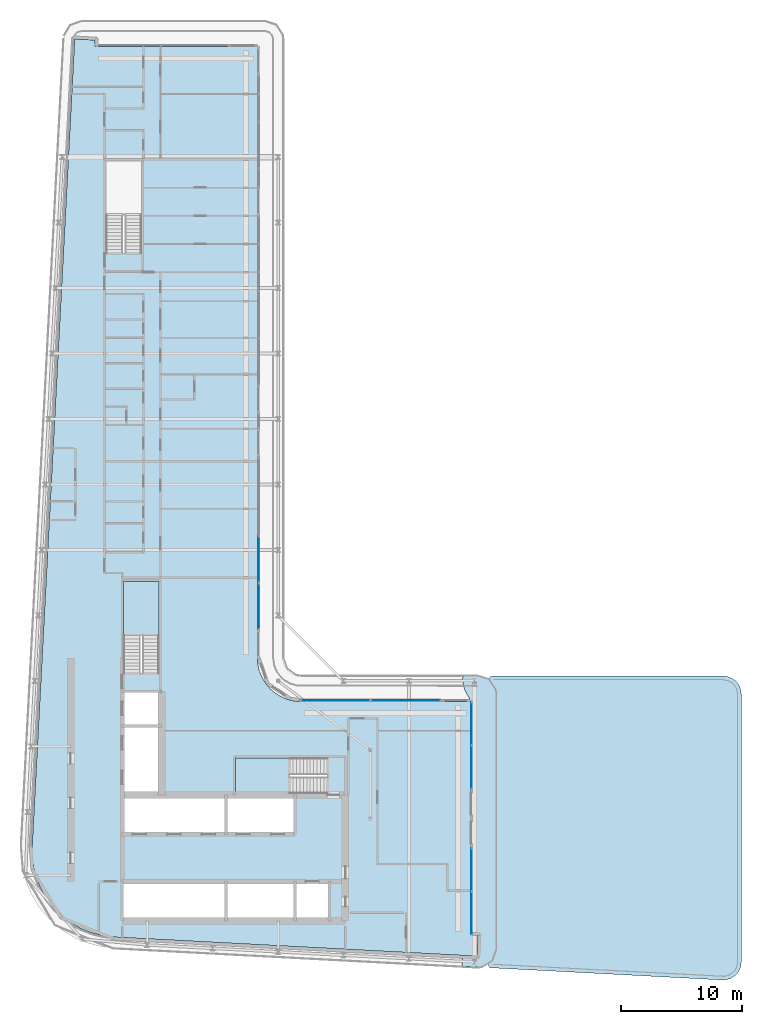
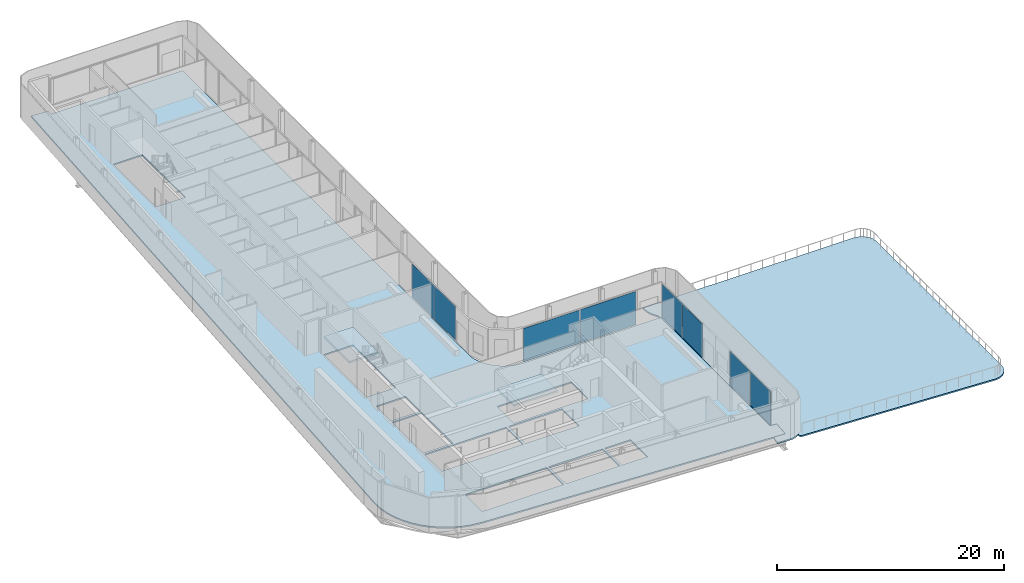
# One storey, part 9 of 22: 8 plates, 4 slabs, 6 elements without a shape of their own.
"""IFC4 building model written with IfcOpenShell, lengths in metres."""

from ifc_helpers import new_model, si_unit, direction, frame, origin, origin_2d, place, context, subcontext, project, spatial, polyline, rectangle, outline, extrude, material, layer, layer_set, type_object, element, aggregate, save


model = new_model("IFC4")

# Units and contexts
model_context = context("Model", 3, precision=1e-05, world=origin(), true_north=direction((0.0, 1.0)))
body_context = subcontext(model_context, "Body", "Model", "MODEL_VIEW")
ifc_project = project(units=[si_unit("LENGTHUNIT", "METRE"), si_unit("AREAUNIT", "SQUARE_METRE"), si_unit("VOLUMEUNIT", "CUBIC_METRE"), si_unit("PLANEANGLEUNIT", "RADIAN"), si_unit("MASSUNIT", "GRAM", prefix="KILO")], contexts=[model_context])

# Site, building, storey
site_placement = place(None, origin())
site = spatial("IfcSite", under=ifc_project, at=site_placement, CompositionType="ELEMENT")
building_placement = place(site_placement, origin())
building = spatial("IfcBuilding", under=site, at=building_placement, Name="Kheshtan School and Residences Tower", CompositionType="ELEMENT")
storey_placement = place(building_placement, frame((0.0, 0.0, 274.699951171875)))
storey = spatial("IfcBuildingStorey", under=building, at=storey_placement, Name="L64", CompositionType="ELEMENT", Elevation=274.699951171875)

# Curtain wall, plates
ifc_material_1 = material(Name="Clear low-e glass in thermally broken aluminium frame", Category="aluminium")
ifc_layer_1 = layer(ifc_material_1, 0.199951171875)
ifc_layer_set_1 = layer_set([ifc_layer_1], Name="Curtain wall CW-L")
curtain_wall_type = type_object("IfcCurtainWallType", Name="Curtain wall CW-L", PredefinedType="NOTDEFINED", material=ifc_layer_set_1)
curtain_wall_1_placement = place(storey_placement, origin())
curtain_wall_1 = element("IfcCurtainWall", 1, at=curtain_wall_1_placement, inside=storey, type_object=curtain_wall_type, Name="Curtain wall CWL8", PredefinedType="NOTDEFINED")
ifc_layer_2 = layer(ifc_material_1, 0.031982421875)
ifc_layer_set_2 = layer_set([ifc_layer_2], Name="CW-L glass panel")
plate_type = type_object("IfcPlateType", Name="CW-L glass panel", PredefinedType="CURTAIN_PANEL", material=ifc_layer_set_2)
plate_1_placement = place(storey_placement, frame((46.0, 55.615478515625, 0.0), z_axis=(0.0, 0.0, 1.0), x_axis=(0.0, -1.0, 0.0)))
plate_1 = element("IfcPlate", 2, at=plate_1_placement, type_object=plate_type, Name="CWL8 panel 1.1", PredefinedType="CURTAIN_PANEL", context=body_context, shape_type="SweptSolid", body=[
    extrude(rectangle(XDim=3.81689453125, YDim=0.031982421875, at=origin_2d()), origin(), (0.0, 0.0, 1.0), 3.6298828125),
])
plate_2_placement = place(storey_placement, frame((46.0, 51.7685546875, 0.0), z_axis=(0.0, 0.0, 1.0), x_axis=(0.0, -1.0, 0.0)))
plate_2 = element("IfcPlate", 3, at=plate_2_placement, type_object=plate_type, Name="CWL8 panel 2.1", PredefinedType="CURTAIN_PANEL", context=body_context, shape_type="SweptSolid", body=[
    extrude(rectangle(XDim=3.757080078125, YDim=0.031982421875, at=origin_2d()), origin(), (0.0, 0.0, 1.0), 3.6298828125),
])
aggregate(curtain_wall_1, [plate_1, plate_2])

curtain_wall_2_placement = place(storey_placement, origin())
curtain_wall_2 = element("IfcCurtainWall", 4, at=curtain_wall_2_placement, inside=storey, type_object=curtain_wall_type, Name="Curtain wall CWL1232", PredefinedType="NOTDEFINED")
plate_3_placement = place(storey_placement, frame((52.35009765625, 44.0, 0.0), z_axis=(0.0, 0.0, 1.0), x_axis=(1.0, 0.0, 0.0)))
plate_3 = element("IfcPlate", 5, at=plate_3_placement, type_object=plate_type, Name="CWL1232 panel 1.1", PredefinedType="CURTAIN_PANEL", context=body_context, shape_type="SweptSolid", body=[
    extrude(rectangle(XDim=5.719970703125, YDim=0.031982421875, at=origin_2d()), origin(), (0.0, 0.0, 1.0), 3.6298828125),
])
plate_4_placement = place(storey_placement, frame((58.1298828125, 44.0, 0.0), z_axis=(0.0, 0.0, 1.0), x_axis=(1.0, 0.0, 0.0)))
plate_4 = element("IfcPlate", 6, at=plate_4_placement, type_object=plate_type, Name="CWL1232 panel 2.1", PredefinedType="CURTAIN_PANEL", context=body_context, shape_type="SweptSolid", body=[
    extrude(rectangle(XDim=5.719970703125, YDim=0.031982421875, at=origin_2d()), origin(), (0.0, 0.0, 1.0), 3.6298828125),
])
aggregate(curtain_wall_2, [plate_3, plate_4])

curtain_wall_3_placement = place(storey_placement, origin())
curtain_wall_3 = element("IfcCurtainWall", 7, at=curtain_wall_3_placement, inside=storey, type_object=curtain_wall_type, Name="Curtain wall CWL13d", PredefinedType="NOTDEFINED")
plate_5_placement = place(storey_placement, frame((63.550048828125, 42.07666015625, 0.0), z_axis=(0.0, 0.0, 1.0), x_axis=(0.0, -1.0, 0.0)))
plate_5 = element("IfcPlate", 8, at=plate_5_placement, type_object=plate_type, Name="CWL13d panel 1.1", PredefinedType="CURTAIN_PANEL", context=body_context, shape_type="SweptSolid", body=[
    extrude(rectangle(XDim=3.52685546875, YDim=0.031982421875, at=origin_2d()), origin(), (0.0, 0.0, 1.0), 3.6298828125),
])
plate_6_placement = place(storey_placement, frame((63.550048828125, 38.489990234375, 0.0), z_axis=(0.0, 0.0, 1.0), x_axis=(0.0, -1.0, 0.0)))
plate_6 = element("IfcPlate", 9, at=plate_6_placement, type_object=plate_type, Name="CWL13d panel 2.1", PredefinedType="CURTAIN_PANEL", context=body_context, shape_type="SweptSolid", body=[
    extrude(rectangle(XDim=3.52685546875, YDim=0.031982421875, at=origin_2d()), origin(), (0.0, 0.0, 1.0), 3.6298828125),
])
aggregate(curtain_wall_3, [plate_5, plate_6])

curtain_wall_4_placement = place(storey_placement, origin())
curtain_wall_4 = element("IfcCurtainWall", 10, at=curtain_wall_4_placement, inside=storey, type_object=curtain_wall_type, Name="Curtain wall CWL13d", PredefinedType="NOTDEFINED")
plate_7_placement = place(storey_placement, frame((63.550048828125, 30.043212890625, 0.0), z_axis=(0.0, 0.0, 1.0), x_axis=(0.0, -1.0, 0.0)))
plate_7 = element("IfcPlate", 11, at=plate_7_placement, type_object=plate_type, Name="CWL13d panel 1.1", PredefinedType="CURTAIN_PANEL", context=body_context, shape_type="SweptSolid", body=[
    extrude(rectangle(XDim=3.52685546875, YDim=0.031982421875, at=origin_2d()), origin(), (0.0, 0.0, 1.0), 3.6298828125),
])
plate_8_placement = place(storey_placement, frame((63.550048828125, 26.456298828125, 0.0), z_axis=(0.0, 0.0, 1.0), x_axis=(0.0, -1.0, 0.0)))
plate_8 = element("IfcPlate", 12, at=plate_8_placement, type_object=plate_type, Name="CWL13d panel 2.1", PredefinedType="CURTAIN_PANEL", context=body_context, shape_type="SweptSolid", body=[
    extrude(rectangle(XDim=3.52685546875, YDim=0.031982421875, at=origin_2d()), origin(), (0.0, 0.0, 1.0), 3.6298828125),
])
aggregate(curtain_wall_4, [plate_7, plate_8])

# Slab
ifc_material_2 = material(Name="Concrete C40/50", Category="concrete")
ifc_layer_3 = layer(ifc_material_2, 0.14990234375)
ifc_layer_set_3 = layer_set([ifc_layer_3], Name="Floor slab 150 Concrete C40/50")
slab_type_1 = type_object("IfcSlabType", Name="Floor slab 150 Concrete C40/50", PredefinedType="FLOOR", material=ifc_layer_set_3)
slab_1_placement = place(storey_placement, frame((0.0, 0.0, -0.14990234375)))
element("IfcSlab", 13, at=slab_1_placement, inside=storey, type_object=slab_type_1, Name="Floor slab L64", PredefinedType="FLOOR", context=body_context, shape_type="SweptSolid", body=[
    extrude(outline(polyline([(28.55908203125, 27.550048828125), (28.0849609375, 28.345947265625), (27.718017578125, 29.200927734375), (27.466064453125, 30.093017578125), (27.466064453125, 30.093994140625), (27.3330078125, 31.013916015625), (27.320068359375, 31.965087890625), (27.320068359375, 31.970947265625), (30.822021484375, 98.5009765625), (30.822998046875, 98.508056640625), (30.825927734375, 98.531005859375), (30.825927734375, 98.531982421875), (30.826904296875, 98.531982421875), (31.422119140625, 98.5), (31.423095703125, 98.5), (31.423095703125, 98.4990234375), (31.423095703125, 98.4951171875), (31.423095703125, 98.493896484375), (31.424072265625, 98.493896484375), (31.424072265625, 98.492919921875), (31.425048828125, 98.492919921875), (31.426025390625, 98.492919921875), (31.426025390625, 98.493896484375), (31.427978515625, 98.49609375), (31.428955078125, 98.4970703125), (31.429931640625, 98.498046875), (31.430908203125, 98.498046875), (31.430908203125, 98.4990234375), (31.431884765625, 98.4990234375), (31.431884765625, 98.5), (31.43505859375, 98.5009765625), (31.43603515625, 98.501953125), (31.43896484375, 98.501953125), (31.43994140625, 98.501953125), (31.43994140625, 98.5029296875), (31.44091796875, 98.5029296875), (31.446044921875, 98.5029296875), (32.5009765625, 98.447021484375), (32.50390625, 98.447021484375), (32.5048828125, 98.447021484375), (32.5048828125, 98.446044921875), (32.506103515625, 98.446044921875), (32.510009765625, 98.446044921875), (32.510009765625, 98.445068359375), (32.510986328125, 98.445068359375), (32.510986328125, 98.444091796875), (32.511962890625, 98.444091796875), (32.511962890625, 98.443115234375), (32.512939453125, 98.443115234375), (32.513916015625, 98.443115234375), (32.513916015625, 98.44189453125), (32.514892578125, 98.44189453125), (32.51611328125, 98.44189453125), (32.51904296875, 98.43896484375), (32.51904296875, 98.43798828125), (32.51904296875, 98.43701171875), (32.52001953125, 98.43701171875), (32.52001953125, 98.43603515625), (32.52099609375, 98.43603515625), (32.52099609375, 98.43408203125), (32.52099609375, 98.43310546875), (32.52197265625, 98.43310546875), (32.52197265625, 98.431884765625), (32.52294921875, 98.431884765625), (32.52294921875, 98.430908203125), (32.52294921875, 98.428955078125), (32.52294921875, 98.427978515625), (32.52392578125, 98.427978515625), (32.52392578125, 98.427001953125), (32.52392578125, 98.422119140625), (32.4970703125, 97.9208984375), (32.4970703125, 97.91796875), (32.4970703125, 97.9169921875), (32.49609375, 97.9169921875), (32.49609375, 97.916015625), (32.49609375, 97.912109375), (32.4951171875, 97.910888671875), (32.4951171875, 97.909912109375), (32.493896484375, 97.909912109375), (32.493896484375, 97.908935546875), (32.492919921875, 97.908935546875), (32.492919921875, 97.907958984375), (32.489013671875, 97.904052734375), (32.488037109375, 97.904052734375), (32.488037109375, 97.903076171875), (32.488037109375, 97.902099609375), (32.488037109375, 97.90087890625), (32.489013671875, 97.90087890625), (32.489013671875, 97.89990234375), (32.489990234375, 97.89990234375), (45.85498046875, 97.89990234375), (45.864990234375, 97.89794921875), (45.865966796875, 97.89794921875), (45.868896484375, 97.89599609375), (45.8740234375, 97.89404296875), (45.8779296875, 97.89208984375), (45.881103515625, 97.889892578125), (45.881103515625, 97.888916015625), (45.882080078125, 97.888916015625), (45.882080078125, 97.887939453125), (45.883056640625, 97.887939453125), (45.884033203125, 97.885009765625), (45.885009765625, 97.885009765625), (45.885009765625, 97.884033203125), (45.887939453125, 97.883056640625), (45.887939453125, 97.882080078125), (45.888916015625, 97.882080078125), (45.888916015625, 97.881103515625), (45.889892578125, 97.881103515625), (45.89208984375, 97.8779296875), (45.89404296875, 97.8740234375), (45.89599609375, 97.868896484375), (45.89794921875, 97.865966796875), (45.89794921875, 97.864990234375), (45.89990234375, 97.85498046875), (45.89990234375, 47.429931640625), (45.927001953125, 47.030029296875), (46.01806640625, 46.570068359375), (46.01806640625, 46.569091796875), (46.169921875, 46.1201171875), (46.37890625, 45.697021484375), (46.638916015625, 45.30810546875), (46.949951171875, 44.950927734375), (46.950927734375, 44.949951171875), (47.30810546875, 44.638916015625), (47.697021484375, 44.37890625), (48.1201171875, 44.169921875), (48.569091796875, 44.01806640625), (48.570068359375, 44.01806640625), (49.030029296875, 43.927001953125), (49.429931640625, 43.89990234375), (63.405029296875, 43.89990234375), (63.409912109375, 43.89892578125), (63.4150390625, 43.89794921875), (63.416015625, 43.89794921875), (63.4189453125, 43.89599609375), (63.424072265625, 43.89404296875), (63.427978515625, 43.89208984375), (63.430908203125, 43.889892578125), (63.430908203125, 43.888916015625), (63.431884765625, 43.888916015625), (63.431884765625, 43.887939453125), (63.43310546875, 43.887939453125), (63.43408203125, 43.885009765625), (63.43505859375, 43.885009765625), (63.43505859375, 43.884033203125), (63.43798828125, 43.883056640625), (63.43798828125, 43.882080078125), (63.43896484375, 43.882080078125), (63.43896484375, 43.881103515625), (63.43994140625, 43.881103515625), (63.44189453125, 43.8779296875), (63.444091796875, 43.8740234375), (63.446044921875, 43.868896484375), (63.447998046875, 43.865966796875), (63.447998046875, 43.864990234375), (63.449951171875, 43.85498046875), (63.449951171875, 24.6279296875), (63.449951171875, 24.626953125), (63.450927734375, 24.626953125), (63.450927734375, 24.6259765625), (63.451904296875, 24.6259765625), (63.452880859375, 24.6259765625), (63.452880859375, 24.626953125), (63.455078125, 24.62890625), (63.4560546875, 24.6298828125), (63.45703125, 24.631103515625), (63.4580078125, 24.631103515625), (63.4580078125, 24.632080078125), (63.458984375, 24.632080078125), (63.458984375, 24.633056640625), (63.462890625, 24.635009765625), (63.466064453125, 24.635009765625), (63.467041015625, 24.635009765625), (63.467041015625, 24.635986328125), (63.468017578125, 24.635986328125), (63.472900390625, 24.635986328125), (64.087890625, 24.60302734375), (64.091064453125, 24.60302734375), (64.092041015625, 24.60302734375), (64.092041015625, 24.60205078125), (64.093017578125, 24.60205078125), (64.096923828125, 24.60205078125), (64.096923828125, 24.60107421875), (64.097900390625, 24.60107421875), (64.097900390625, 24.60009765625), (64.09912109375, 24.60009765625), (64.09912109375, 24.59912109375), (64.10009765625, 24.59912109375), (64.10107421875, 24.59912109375), (64.10107421875, 24.597900390625), (64.10205078125, 24.597900390625), (64.10302734375, 24.597900390625), (64.10302734375, 24.596923828125), (64.10498046875, 24.594970703125), (64.10595703125, 24.594970703125), (64.10595703125, 24.593994140625), (64.10595703125, 24.593017578125), (64.10693359375, 24.593017578125), (64.10693359375, 24.592041015625), (64.10791015625, 24.592041015625), (64.10791015625, 24.590087890625), (64.10791015625, 24.589111328125), (64.10888671875, 24.589111328125), (64.10888671875, 24.587890625), (64.110107421875, 24.587890625), (64.110107421875, 24.5869140625), (64.110107421875, 24.5849609375), (64.110107421875, 24.583984375), (64.111083984375, 24.583984375), (64.111083984375, 24.5830078125), (64.111083984375, 24.577880859375), (64.054931640625, 23.52001953125), (64.054931640625, 23.51708984375), (64.054931640625, 23.51611328125), (64.053955078125, 23.51611328125), (64.053955078125, 23.514892578125), (64.053955078125, 23.510986328125), (64.052978515625, 23.510009765625), (64.052978515625, 23.509033203125), (64.052001953125, 23.509033203125), (64.052001953125, 23.508056640625), (64.051025390625, 23.508056640625), (64.051025390625, 23.507080078125), (64.050048828125, 23.506103515625), (64.048095703125, 23.50390625), (64.047119140625, 23.5029296875), (64.0458984375, 23.5029296875), (64.0458984375, 23.501953125), (64.0458984375, 23.5009765625), (64.0458984375, 23.5), (64.047119140625, 23.5), (64.047119140625, 23.4990234375), (64.048095703125, 23.4990234375), (64.049072265625, 23.4990234375), (64.050048828125, 23.4990234375), (64.050048828125, 23.498046875), (64.01806640625, 22.904052734375), (64.01806640625, 22.903076171875), (64.01708984375, 22.903076171875), (63.992919921875, 22.902099609375), (63.988037109375, 22.902099609375), (34.056884765625, 24.47802734375), (33.114990234375, 24.590087890625), (32.215087890625, 24.819091796875), (32.214111328125, 24.819091796875), (31.35205078125, 25.1630859375), (30.541015625, 25.616943359375), (29.799072265625, 26.1708984375), (29.799072265625, 26.172119140625), (29.798095703125, 26.172119140625), (29.134033203125, 26.820068359375), (29.134033203125, 26.821044921875), (29.133056640625, 26.821044921875), (28.55908203125, 27.550048828125)]), holes=[polyline([(63.450927734375, 23.506103515625), (63.449951171875, 23.506103515625), (63.449951171875, 23.5048828125), (63.449951171875, 23.5009765625), (63.449951171875, 23.5), (63.450927734375, 23.5), (63.450927734375, 23.4990234375), (63.451904296875, 23.4990234375), (63.4560546875, 23.4990234375), (63.45703125, 23.4990234375), (63.45703125, 23.5), (63.4580078125, 23.5), (63.4580078125, 23.5009765625), (63.4580078125, 23.501953125), (63.45703125, 23.501953125), (63.4560546875, 23.5029296875), (63.455078125, 23.50390625), (63.452880859375, 23.506103515625), (63.452880859375, 23.507080078125), (63.451904296875, 23.507080078125), (63.450927734375, 23.507080078125), (63.450927734375, 23.506103515625)]), polyline([(31.424072265625, 97.906982421875), (31.423095703125, 97.906982421875), (31.423095703125, 97.906005859375), (31.423095703125, 97.902099609375), (31.423095703125, 97.90087890625), (31.424072265625, 97.90087890625), (31.424072265625, 97.89990234375), (31.425048828125, 97.89990234375), (31.428955078125, 97.89990234375), (31.429931640625, 97.89990234375), (31.429931640625, 97.90087890625), (31.430908203125, 97.90087890625), (31.430908203125, 97.902099609375), (31.430908203125, 97.903076171875), (31.429931640625, 97.903076171875), (31.428955078125, 97.904052734375), (31.427978515625, 97.905029296875), (31.427001953125, 97.906005859375), (31.426025390625, 97.906982421875), (31.426025390625, 97.907958984375), (31.425048828125, 97.907958984375), (31.424072265625, 97.907958984375), (31.424072265625, 97.906982421875)]), polyline([(43.175048828125, 25.925048828125), (43.175048828125, 28.925048828125), (34.875, 28.925048828125), (34.875, 25.925048828125), (43.175048828125, 25.925048828125)]), polyline([(43.425048828125, 28.925048828125), (43.425048828125, 25.925048828125), (48.875, 25.925048828125), (48.875, 28.925048828125), (43.425048828125, 28.925048828125)]), polyline([(51.72509765625, 28.925048828125), (49.125, 28.925048828125), (49.125, 25.925048828125), (51.72509765625, 25.925048828125), (51.72509765625, 28.925048828125)]), polyline([(34.875, 33.074951171875), (43.175048828125, 33.074951171875), (43.175048828125, 36.074951171875), (34.875, 36.074951171875), (34.875, 33.074951171875)]), polyline([(48.875, 36.074951171875), (43.425048828125, 36.074951171875), (43.425048828125, 33.074951171875), (48.875, 33.074951171875), (48.875, 36.074951171875)]), polyline([(51.64990234375, 37.699951171875), (51.64990234375, 39.25), (44.090087890625, 39.25), (44.090087890625, 36.300048828125), (51.639892578125, 36.300048828125), (51.639892578125, 37.699951171875), (51.64990234375, 37.699951171875)]), polyline([(37.875, 41.77490234375), (34.875, 41.77490234375), (34.875, 36.324951171875), (37.875, 36.324951171875), (37.875, 41.77490234375)]), polyline([(37.875, 44.625), (34.875, 44.625), (34.875, 42.02490234375), (37.875, 42.02490234375), (37.875, 44.625)]), polyline([(36.25, 46.260009765625), (36.25, 46.25), (37.800048828125, 46.25), (37.800048828125, 53.81005859375), (34.85009765625, 53.81005859375), (34.85009765625, 46.260009765625), (36.25, 46.260009765625)]), polyline([(36.35009765625, 80.89990234375), (36.35009765625, 88.4599609375), (33.39990234375, 88.4599609375), (33.39990234375, 80.909912109375), (34.800048828125, 80.909912109375), (34.800048828125, 80.89990234375), (36.35009765625, 80.89990234375)])]), origin(), (0.0, 0.0, 1.0), 0.14990234375),
])

# Stair, slab
stair_type = type_object("IfcStairType", Name="Exit stair, half-turn", PredefinedType="HALF_TURN_STAIR", material=ifc_material_2)
stair_1_placement = place(storey_placement, origin())
stair_1 = element("IfcStair", 14, at=stair_1_placement, inside=storey, type_object=stair_type, Name="L64 Protected Exit Stair ST1", PredefinedType="HALF_TURN_STAIR")
ifc_layer_4 = layer(ifc_material_2, 0.199951171875)
ifc_layer_set_4 = layer_set([ifc_layer_4], Name="Stair landing 200 Concrete C40/50")
slab_type_2 = type_object("IfcSlabType", Name="Stair landing 200 Concrete C40/50", PredefinedType="LANDING", material=ifc_layer_set_4)
slab_2_placement = place(storey_placement, frame((0.0, 0.0, 1.75)))
slab_2 = element("IfcSlab", 15, at=slab_2_placement, type_object=slab_type_2, Name="ST1 landing 1", PredefinedType="LANDING", context=body_context, shape_type="SweptSolid", body=[
    extrude(outline(polyline([(48.570068359375, 39.25), (44.090087890625, 39.25), (44.090087890625, 36.300048828125), (48.570068359375, 36.300048828125), (48.570068359375, 39.25)])), origin(), (0.0, 0.0, 1.0), 0.199951171875),
])
aggregate(stair_1, [slab_2])

stair_2_placement = place(storey_placement, origin())
stair_2 = element("IfcStair", 16, at=stair_2_placement, inside=storey, type_object=stair_type, Name="L64 Protected Exit Stair ST2", PredefinedType="HALF_TURN_STAIR")
slab_3_placement = place(storey_placement, frame((0.0, 0.0, 1.75)))
slab_3 = element("IfcSlab", 17, at=slab_3_placement, type_object=slab_type_2, Name="ST2 landing 1", PredefinedType="LANDING", context=body_context, shape_type="SweptSolid", body=[
    extrude(outline(polyline([(37.800048828125, 49.330078125), (37.800048828125, 53.81005859375), (34.85009765625, 53.81005859375), (34.85009765625, 49.330078125), (37.800048828125, 49.330078125)])), origin(), (0.0, 0.0, 1.0), 0.199951171875),
])
aggregate(stair_2, [slab_3])

# Slab
ifc_layer_5 = layer(ifc_material_2, 0.14990234375)
ifc_layer_set_5 = layer_set([ifc_layer_5], Name="Terrace slab 150 Concrete C40/50")
slab_type_3 = type_object("IfcSlabType", Name="Terrace slab 150 Concrete C40/50", PredefinedType="FLOOR", material=ifc_layer_set_5)
slab_4_placement = place(storey_placement, frame((0.0, 0.0, -0.14990234375)))
element("IfcSlab", 18, at=slab_4_placement, inside=storey, type_object=slab_type_3, Name="Terrace slab L64", PredefinedType="FLOOR", context=body_context, shape_type="SweptSolid", body=[
    extrude(outline(polyline([(62.758056640625, 22.06689453125), (62.757080078125, 22.077880859375), (62.756103515625, 22.10205078125), (62.761962890625, 22.376953125), (62.763916015625, 22.40087890625), (62.7890625, 22.594970703125), (62.79296875, 22.617919921875), (62.825927734375, 22.77490234375), (62.83203125, 22.799072265625), (62.83203125, 22.801025390625), (62.885009765625, 22.9580078125), (62.885009765625, 22.958984375), (62.885009765625, 22.9599609375), (63.988037109375, 22.902099609375), (64.014892578125, 22.903076171875), (64.01611328125, 22.903076171875), (64.01708984375, 22.903076171875), (64.01708984375, 22.904052734375), (64.01806640625, 22.904052734375), (64.01806640625, 22.905029296875), (64.01806640625, 22.906005859375), (64.10791015625, 24.594970703125), (64.10791015625, 24.595947265625), (64.10791015625, 24.596923828125), (64.10693359375, 24.596923828125), (64.10693359375, 24.597900390625), (64.10595703125, 24.597900390625), (64.10498046875, 24.597900390625), (63.450927734375, 24.633056640625), (63.449951171875, 24.633056640625), (63.449951171875, 24.634033203125), (63.449951171875, 43.89794921875), (63.449951171875, 43.89892578125), (63.448974609375, 43.89892578125), (63.448974609375, 43.89990234375), (63.447998046875, 43.89990234375), (63.35107421875, 43.89990234375), (63.35009765625, 43.89990234375), (63.35009765625, 43.90087890625), (63.35009765625, 44.23388671875), (63.35009765625, 44.235107421875), (63.321044921875, 44.27099609375), (63.305908203125, 44.291015625), (63.156005859375, 44.51904296875), (63.14404296875, 44.5400390625), (63.0859375, 44.64794921875), (63.074951171875, 44.669921875), (62.965087890625, 44.930908203125), (62.95703125, 44.9541015625), (62.90087890625, 45.14111328125), (62.90087890625, 45.14306640625), (62.89501953125, 45.1669921875), (62.85888671875, 45.339111328125), (62.85498046875, 45.363037109375), (62.826904296875, 45.636962890625), (62.825927734375, 45.662109375), (62.825927734375, 45.837890625), (62.826904296875, 45.863037109375), (62.841064453125, 45.9990234375), (62.841064453125, 46.0), (62.842041015625, 46.0), (64.050048828125, 46.0), (64.24609375, 45.987060546875), (64.43798828125, 45.948974609375), (64.43994140625, 45.948974609375), (64.6240234375, 45.885986328125), (64.794921875, 45.801025390625), (64.7958984375, 45.801025390625), (64.797119140625, 45.801025390625), (64.798095703125, 45.801025390625), (64.798095703125, 45.802001953125), (64.799072265625, 45.802001953125), (64.799072265625, 45.802978515625), (64.800048828125, 45.802978515625), (64.803955078125, 45.802978515625), (64.803955078125, 45.802001953125), (64.804931640625, 45.802001953125), (64.804931640625, 45.801025390625), (64.805908203125, 45.801025390625), (64.805908203125, 45.800048828125), (64.9619140625, 45.696044921875), (64.962890625, 45.696044921875), (64.962890625, 45.695068359375), (64.964111328125, 45.695068359375), (64.964111328125, 45.694091796875), (64.964111328125, 45.68994140625), (64.964111328125, 45.68896484375), (64.965087890625, 45.68896484375), (64.965087890625, 45.68798828125), (65.072998046875, 45.593017578125), (65.073974609375, 45.593017578125), (65.074951171875, 45.593017578125), (65.075927734375, 45.593017578125), (65.075927734375, 45.593994140625), (65.076904296875, 45.593994140625), (65.076904296875, 45.594970703125), (65.076904296875, 45.595947265625), (65.076904296875, 45.596923828125), (65.06591796875, 45.611083984375), (65.053955078125, 45.632080078125), (65.04296875, 45.654052734375), (65.034912109375, 45.675048828125), (65.034912109375, 45.677001953125), (65.029052734375, 45.700927734375), (65.02490234375, 45.72509765625), (65.02392578125, 45.75), (65.02490234375, 45.77490234375), (65.029052734375, 45.799072265625), (65.034912109375, 45.822998046875), (65.034912109375, 45.824951171875), (65.04296875, 45.845947265625), (65.053955078125, 45.867919921875), (65.06591796875, 45.888916015625), (65.0791015625, 45.906982421875), (65.080078125, 45.906982421875), (65.080078125, 45.907958984375), (65.0810546875, 45.907958984375), (65.0810546875, 45.908935546875), (65.096923828125, 45.927001953125), (65.114990234375, 45.943115234375), (65.115966796875, 45.943115234375), (65.115966796875, 45.944091796875), (65.116943359375, 45.944091796875), (65.116943359375, 45.945068359375), (65.135009765625, 45.9580078125), (65.156005859375, 45.969970703125), (65.177978515625, 45.98095703125), (65.198974609375, 45.989013671875), (65.200927734375, 45.989013671875), (65.22509765625, 45.9951171875), (65.2490234375, 45.9990234375), (65.27392578125, 46.0), (84.2919921875, 46.0), (84.30810546875, 45.9990234375), (84.47900390625, 45.988037109375), (84.511962890625, 45.98388671875), (84.672119140625, 45.951904296875), (84.702880859375, 45.944091796875), (84.705078125, 45.944091796875), (84.85791015625, 45.89208984375), (84.888916015625, 45.87890625), (85.035888671875, 45.805908203125), (85.06396484375, 45.7900390625), (85.199951171875, 45.698974609375), (85.22509765625, 45.679931640625), (85.345947265625, 45.574951171875), (85.345947265625, 45.573974609375), (85.346923828125, 45.573974609375), (85.346923828125, 45.572998046875), (85.347900390625, 45.572998046875), (85.373046875, 45.548095703125), (85.373046875, 45.547119140625), (85.3740234375, 45.547119140625), (85.3740234375, 45.5458984375), (85.375, 45.5458984375), (85.47998046875, 45.425048828125), (85.4990234375, 45.39990234375), (85.590087890625, 45.263916015625), (85.60595703125, 45.236083984375), (85.678955078125, 45.089111328125), (85.69189453125, 45.05810546875), (85.743896484375, 44.905029296875), (85.743896484375, 44.903076171875), (85.751953125, 44.8720703125), (85.783935546875, 44.7119140625), (85.7880859375, 44.678955078125), (85.799072265625, 44.508056640625), (85.800048828125, 44.491943359375), (85.800048828125, 22.443115234375), (85.799072265625, 22.426025390625), (85.787109375, 22.248046875), (85.782958984375, 22.215087890625), (85.7490234375, 22.050048828125), (85.7490234375, 22.048095703125), (85.739990234375, 22.01708984375), (85.68408203125, 21.85693359375), (85.669921875, 21.825927734375), (85.593017578125, 21.676025390625), (85.575927734375, 21.64697265625), (85.47998046875, 21.509033203125), (85.4609375, 21.485107421875), (85.4599609375, 21.485107421875), (85.4599609375, 21.48388671875), (85.458984375, 21.48388671875), (85.458984375, 21.48291015625), (85.343994140625, 21.35791015625), (85.320068359375, 21.3349609375), (85.319091796875, 21.3349609375), (85.319091796875, 21.333984375), (85.318115234375, 21.333984375), (85.318115234375, 21.3330078125), (85.18994140625, 21.22705078125), (85.160888671875, 21.2060546875), (85.01708984375, 21.116943359375), (84.988037109375, 21.10205078125), (84.833984375, 21.032958984375), (84.802001953125, 21.02099609375), (84.64208984375, 20.97412109375), (84.639892578125, 20.97412109375), (84.60693359375, 20.967041015625), (84.44091796875, 20.94189453125), (84.407958984375, 20.93896484375), (84.22998046875, 20.93603515625), (84.212890625, 20.93603515625), (65.19091796875, 21.93798828125), (65.1669921875, 21.94091796875), (65.14306640625, 21.945068359375), (65.14111328125, 21.945068359375), (65.1201171875, 21.951904296875), (65.097900390625, 21.9619140625), (65.076904296875, 21.972900390625), (65.056884765625, 21.986083984375), (65.0400390625, 21.9990234375), (65.0400390625, 22.0), (65.0390625, 22.0), (65.0390625, 22.0009765625), (65.0390625, 22.001953125), (65.0380859375, 22.001953125), (65.02099609375, 22.01806640625), (65.0048828125, 22.035888671875), (65.0048828125, 22.037109375), (65.00390625, 22.037109375), (65.00390625, 22.0380859375), (65.0029296875, 22.0380859375), (64.991943359375, 22.055908203125), (64.97998046875, 22.076904296875), (64.969970703125, 22.09912109375), (64.962890625, 22.1201171875), (64.962890625, 22.1220703125), (64.9580078125, 22.14599609375), (64.955078125, 22.169921875), (64.9541015625, 22.194091796875), (64.9560546875, 22.218017578125), (64.9599609375, 22.240966796875), (64.966064453125, 22.264892578125), (64.966064453125, 22.26708984375), (64.97509765625, 22.287109375), (64.985107421875, 22.30908203125), (64.998046875, 22.3291015625), (65.010986328125, 22.346923828125), (65.011962890625, 22.346923828125), (65.011962890625, 22.347900390625), (65.013916015625, 22.35009765625), (65.014892578125, 22.35009765625), (65.014892578125, 22.35107421875), (65.014892578125, 22.35205078125), (65.013916015625, 22.35205078125), (65.013916015625, 22.35302734375), (65.012939453125, 22.35302734375), (65.011962890625, 22.35302734375), (65.010986328125, 22.35302734375), (65.010986328125, 22.35205078125), (65.010009765625, 22.35107421875), (65.009033203125, 22.35107421875), (65.009033203125, 22.35009765625), (65.008056640625, 22.35009765625), (64.926025390625, 22.281982421875), (64.75390625, 22.175048828125), (64.569091796875, 22.092041015625), (64.3759765625, 22.034912109375), (64.3740234375, 22.034912109375), (64.174072265625, 22.0048828125), (63.970947265625, 22.001953125), (62.759033203125, 22.06591796875), (62.758056640625, 22.06591796875), (62.758056640625, 22.06689453125)])), origin(), (0.0, 0.0, 1.0), 0.14990234375),
])

save(model, "model.ifc")
